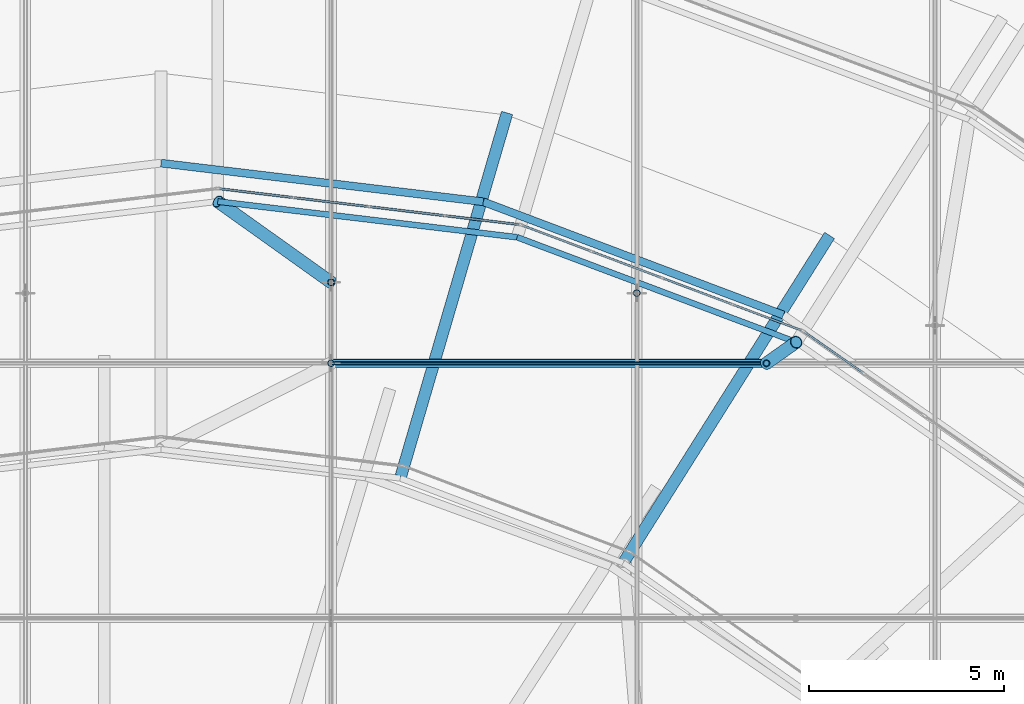
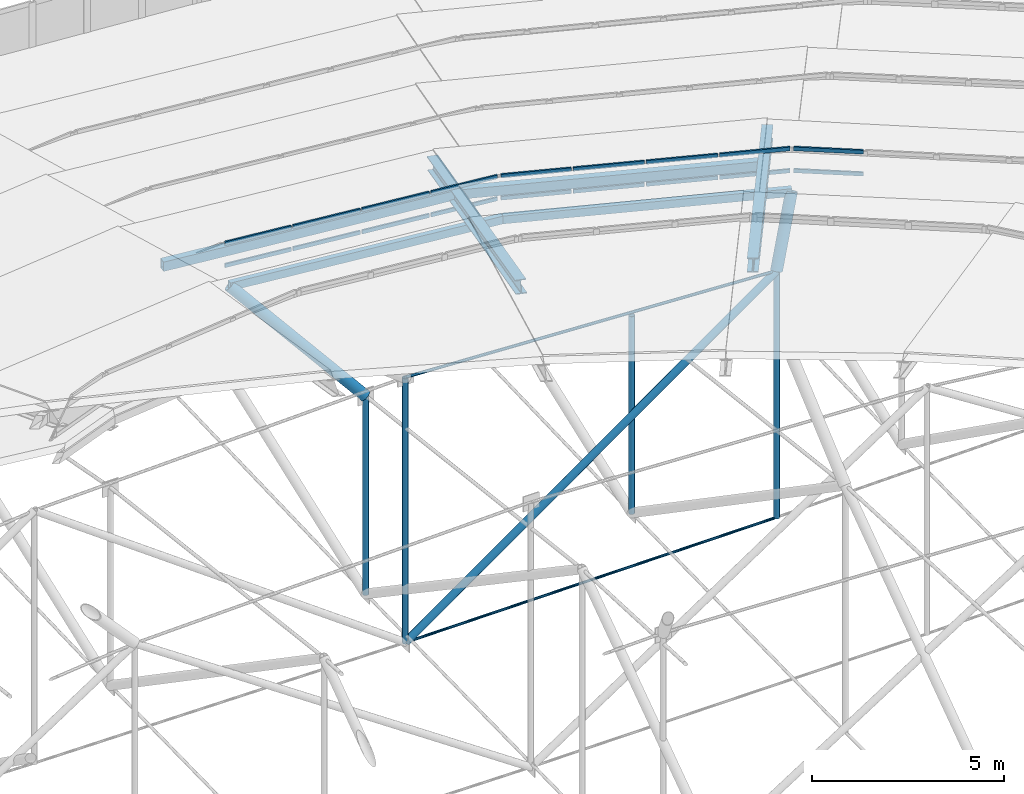
# One storey, part 111 of 173: 33 members, 3 elements without a shape of their own.
"""IFC4 building model written with IfcOpenShell, lengths in metres."""

from ifc_helpers import new_model, si_unit, direction, frame, origin, origin_2d, place, context, subcontext, project, spatial, rectangle, hollow_rectangle, circle, hollow_circle, i_section, extrude, material, material_profile, profile_set, type_object, element, aggregate, save


model = new_model("IFC4")

# Units and contexts
model_context = context("Model", 3, precision=1e-05, world=origin(), true_north=direction((0.0, 1.0)))
body_context = subcontext(model_context, "Body", "Model", "MODEL_VIEW")
ifc_project = project(units=[si_unit("LENGTHUNIT", "METRE"), si_unit("AREAUNIT", "SQUARE_METRE"), si_unit("VOLUMEUNIT", "CUBIC_METRE"), si_unit("PLANEANGLEUNIT", "RADIAN"), si_unit("MASSUNIT", "GRAM", prefix="KILO")], contexts=[model_context])

# Site, building, storey
site_placement = place(None, origin())
site = spatial("IfcSite", under=ifc_project, at=site_placement, CompositionType="ELEMENT")
building_placement = place(site_placement, origin())
building = spatial("IfcBuilding", under=site, at=building_placement, Name="Glasvene Arena", CompositionType="ELEMENT")
storey_placement = place(building_placement, frame((0.0, 0.0, 28.800048828125)))
storey = spatial("IfcBuildingStorey", under=building, at=storey_placement, Name="RF", CompositionType="ELEMENT", Elevation=28.800048828125)

# Curtain wall, members
ifc_material_1 = material(Name="Low-emissivity laminated double glazing", Category="glass")
curtain_wall_type_1 = type_object("IfcCurtainWallType", Name="CW-PET3-756x75", PredefinedType="USERDEFINED", material=ifc_material_1)
curtain_wall_1_placement = place(storey_placement, frame((110.27783203125, 89.933349609375, 0.0)))
curtain_wall_1 = element("IfcCurtainWall", 1, at=curtain_wall_1_placement, inside=storey, type_object=curtain_wall_type_1, Name="Petal ring 3-4 clerestory curtain wall 04", ObjectType="CURTAIN WALL", PredefinedType="USERDEFINED")
ifc_material_2 = material(Name="Anodised architectural aluminium", Category="aluminium")
ifc_material_profile_1 = material_profile(ifc_material_2, rectangle(XDim=0.050048828125, YDim=0.1201171875, at=origin_2d()), Name="ALU TRANSOM 50x120")
ifc_profile_set_1 = profile_set([ifc_material_profile_1], Name="Anodised architectural aluminium")
member_type_1 = type_object("IfcMemberType", Name="CW-TRN-120", PredefinedType="USERDEFINED", material=ifc_profile_set_1)
member_1_placement = place(storey_placement, frame((105.605224609375, 93.189453125, 7.85498046875), z_axis=(-0.82043066746, 0.571746027438, 0.0), x_axis=(-0.571746027438, -0.82043066746, 0.0)))
member_1 = element("IfcMember", 2, at=member_1_placement, type_object=member_type_1, Name="CW-096 transom 4.1", ObjectType="TRANSOM", PredefinedType="USERDEFINED", context=body_context, shape_type="SweptSolid", body=[
    extrude(rectangle(XDim=0.050048828125, YDim=0.1201171875, at=origin_2d()), origin(), (0.0, 0.0, 1.0), 1.815185546875),
])
member_2_placement = place(storey_placement, frame((105.605224609375, 93.189453125, 8.554931640625), z_axis=(-0.82043066746, 0.571746027438, 0.0), x_axis=(-0.571746027438, -0.82043066746, 0.0)))
member_2 = element("IfcMember", 3, at=member_2_placement, type_object=member_type_1, Name="CW-096 transom 4.2", ObjectType="TRANSOM", PredefinedType="USERDEFINED", context=body_context, shape_type="SweptSolid", body=[
    extrude(rectangle(XDim=0.050048828125, YDim=0.1201171875, at=origin_2d()), origin(), (0.0, 0.0, 1.0), 1.815185546875),
])
aggregate(curtain_wall_1, [member_1, member_2])

curtain_wall_type_2 = type_object("IfcCurtainWallType", Name="CW-PET3-772x75", PredefinedType="USERDEFINED", material=ifc_material_1)
curtain_wall_2_placement = place(storey_placement, frame((104.074951171875, 94.255859375, 0.0)))
curtain_wall_2 = element("IfcCurtainWall", 4, at=curtain_wall_2_placement, inside=storey, type_object=curtain_wall_type_2, Name="Petal ring 3-4 clerestory curtain wall 05", ObjectType="CURTAIN WALL", PredefinedType="USERDEFINED")
member_3_placement = place(storey_placement, frame((104.0283203125, 94.2734375, 7.85498046875), z_axis=(-0.935949946837, 0.3521330672, 0.0), x_axis=(-0.3521330672, -0.935949946837, 0.0)))
member_3 = element("IfcMember", 5, at=member_3_placement, type_object=member_type_1, Name="CW-097 transom 1.1", ObjectType="TRANSOM", PredefinedType="USERDEFINED", context=body_context, shape_type="SweptSolid", body=[
    extrude(rectangle(XDim=0.050048828125, YDim=0.1201171875, at=origin_2d()), origin(), (0.0, 0.0, 1.0), 1.854736328125),
])
member_4_placement = place(storey_placement, frame((104.0283203125, 94.2734375, 8.554931640625), z_axis=(-0.935949946837, 0.3521330672, 0.0), x_axis=(-0.3521330672, -0.935949946837, 0.0)))
member_4 = element("IfcMember", 6, at=member_4_placement, type_object=member_type_1, Name="CW-097 transom 1.2", ObjectType="TRANSOM", PredefinedType="USERDEFINED", context=body_context, shape_type="SweptSolid", body=[
    extrude(rectangle(XDim=0.050048828125, YDim=0.1201171875, at=origin_2d()), origin(), (0.0, 0.0, 1.0), 1.854736328125),
])
member_5_placement = place(storey_placement, frame((102.245849609375, 94.944091796875, 7.85498046875), z_axis=(-0.935981707796, 0.352048636798, 0.0), x_axis=(-0.352048636798, -0.935981707796, 0.0)))
member_5 = element("IfcMember", 7, at=member_5_placement, type_object=member_type_1, Name="CW-097 transom 2.1", ObjectType="TRANSOM", PredefinedType="USERDEFINED", context=body_context, shape_type="SweptSolid", body=[
    extrude(rectangle(XDim=0.050048828125, YDim=0.1201171875, at=origin_2d()), origin(), (0.0, 0.0, 1.0), 1.87939453125),
])
member_6_placement = place(storey_placement, frame((102.245849609375, 94.944091796875, 8.554931640625), z_axis=(-0.935981707796, 0.352048636798, 0.0), x_axis=(-0.352048636798, -0.935981707796, 0.0)))
member_6 = element("IfcMember", 8, at=member_6_placement, type_object=member_type_1, Name="CW-097 transom 2.2", ObjectType="TRANSOM", PredefinedType="USERDEFINED", context=body_context, shape_type="SweptSolid", body=[
    extrude(rectangle(XDim=0.050048828125, YDim=0.1201171875, at=origin_2d()), origin(), (0.0, 0.0, 1.0), 1.87939453125),
])
member_7_placement = place(storey_placement, frame((100.43994140625, 95.623291015625, 7.85498046875), z_axis=(-0.935938896958, 0.35216243576, 0.0), x_axis=(-0.35216243576, -0.935938896958, 0.0)))
member_7 = element("IfcMember", 9, at=member_7_placement, type_object=member_type_1, Name="CW-097 transom 3.1", ObjectType="TRANSOM", PredefinedType="USERDEFINED", context=body_context, shape_type="SweptSolid", body=[
    extrude(rectangle(XDim=0.050048828125, YDim=0.1201171875, at=origin_2d()), origin(), (0.0, 0.0, 1.0), 1.87939453125),
])
member_8_placement = place(storey_placement, frame((100.43994140625, 95.623291015625, 8.554931640625), z_axis=(-0.935938896958, 0.35216243576, 0.0), x_axis=(-0.35216243576, -0.935938896958, 0.0)))
member_8 = element("IfcMember", 10, at=member_8_placement, type_object=member_type_1, Name="CW-097 transom 3.2", ObjectType="TRANSOM", PredefinedType="USERDEFINED", context=body_context, shape_type="SweptSolid", body=[
    extrude(rectangle(XDim=0.050048828125, YDim=0.1201171875, at=origin_2d()), origin(), (0.0, 0.0, 1.0), 1.87939453125),
])
member_9_placement = place(storey_placement, frame((98.634033203125, 96.302734375, 7.85498046875), z_axis=(-0.935977011072, 0.352061123591, 0.0), x_axis=(-0.352061123591, -0.935977011072, 0.0)))
member_9 = element("IfcMember", 11, at=member_9_placement, type_object=member_type_1, Name="CW-097 transom 4.1", ObjectType="TRANSOM", PredefinedType="USERDEFINED", context=body_context, shape_type="SweptSolid", body=[
    extrude(rectangle(XDim=0.050048828125, YDim=0.1201171875, at=origin_2d()), origin(), (0.0, 0.0, 1.0), 1.854248046875),
])
member_10_placement = place(storey_placement, frame((98.634033203125, 96.302734375, 8.554931640625), z_axis=(-0.935977011072, 0.352061123591, 0.0), x_axis=(-0.352061123591, -0.935977011072, 0.0)))
member_10 = element("IfcMember", 12, at=member_10_placement, type_object=member_type_1, Name="CW-097 transom 4.2", ObjectType="TRANSOM", PredefinedType="USERDEFINED", context=body_context, shape_type="SweptSolid", body=[
    extrude(rectangle(XDim=0.050048828125, YDim=0.1201171875, at=origin_2d()), origin(), (0.0, 0.0, 1.0), 1.854248046875),
])
aggregate(curtain_wall_2, [member_3, member_4, member_5, member_6, member_7, member_8, member_9, member_10])

curtain_wall_type_3 = type_object("IfcCurtainWallType", Name="CW-PET3-781x75", PredefinedType="USERDEFINED", material=ifc_material_1)
curtain_wall_3_placement = place(storey_placement, frame((96.8515625, 96.97314453125, 0.0)))
curtain_wall_3 = element("IfcCurtainWall", 13, at=curtain_wall_3_placement, inside=storey, type_object=curtain_wall_type_3, Name="Petal ring 3-4 clerestory curtain wall 06", ObjectType="CURTAIN WALL", PredefinedType="USERDEFINED")
member_11_placement = place(storey_placement, frame((96.802001953125, 96.979248046875, 7.85498046875), z_axis=(-0.992937647421, 0.118637381691, 0.0), x_axis=(-0.118637381691, -0.992937647421, 0.0)))
member_11 = element("IfcMember", 14, at=member_11_placement, type_object=member_type_1, Name="CW-098 transom 1.1", ObjectType="TRANSOM", PredefinedType="USERDEFINED", context=body_context, shape_type="SweptSolid", body=[
    extrude(rectangle(XDim=0.050048828125, YDim=0.1201171875, at=origin_2d()), origin(), (0.0, 0.0, 1.0), 1.876708984375),
])
member_12_placement = place(storey_placement, frame((96.802001953125, 96.979248046875, 8.554931640625), z_axis=(-0.992937647421, 0.118637381691, 0.0), x_axis=(-0.118637381691, -0.992937647421, 0.0)))
member_12 = element("IfcMember", 15, at=member_12_placement, type_object=member_type_1, Name="CW-098 transom 1.2", ObjectType="TRANSOM", PredefinedType="USERDEFINED", context=body_context, shape_type="SweptSolid", body=[
    extrude(rectangle(XDim=0.050048828125, YDim=0.1201171875, at=origin_2d()), origin(), (0.0, 0.0, 1.0), 1.876708984375),
])
member_13_placement = place(storey_placement, frame((94.888916015625, 97.207763671875, 7.85498046875), z_axis=(-0.992923539181, 0.118755401311, 0.0), x_axis=(-0.118755401311, -0.992923539181, 0.0)))
member_13 = element("IfcMember", 16, at=member_13_placement, type_object=member_type_1, Name="CW-098 transom 2.1", ObjectType="TRANSOM", PredefinedType="USERDEFINED", context=body_context, shape_type="SweptSolid", body=[
    extrude(rectangle(XDim=0.050048828125, YDim=0.1201171875, at=origin_2d()), origin(), (0.0, 0.0, 1.0), 1.901611328125),
])
member_14_placement = place(storey_placement, frame((94.888916015625, 97.207763671875, 8.554931640625), z_axis=(-0.992923539181, 0.118755401311, 0.0), x_axis=(-0.118755401311, -0.992923539181, 0.0)))
member_14 = element("IfcMember", 17, at=member_14_placement, type_object=member_type_1, Name="CW-098 transom 2.2", ObjectType="TRANSOM", PredefinedType="USERDEFINED", context=body_context, shape_type="SweptSolid", body=[
    extrude(rectangle(XDim=0.050048828125, YDim=0.1201171875, at=origin_2d()), origin(), (0.0, 0.0, 1.0), 1.901611328125),
])
member_15_placement = place(storey_placement, frame((92.950927734375, 97.439453125, 7.85498046875), z_axis=(-0.992923539181, 0.118755401311, 0.0), x_axis=(-0.118755401311, -0.992923539181, 0.0)))
member_15 = element("IfcMember", 18, at=member_15_placement, type_object=member_type_1, Name="CW-098 transom 3.1", ObjectType="TRANSOM", PredefinedType="USERDEFINED", context=body_context, shape_type="SweptSolid", body=[
    extrude(rectangle(XDim=0.050048828125, YDim=0.1201171875, at=origin_2d()), origin(), (0.0, 0.0, 1.0), 1.901611328125),
])
member_16_placement = place(storey_placement, frame((92.950927734375, 97.439453125, 8.554931640625), z_axis=(-0.992923539181, 0.118755401311, 0.0), x_axis=(-0.118755401311, -0.992923539181, 0.0)))
member_16 = element("IfcMember", 19, at=member_16_placement, type_object=member_type_1, Name="CW-098 transom 3.2", ObjectType="TRANSOM", PredefinedType="USERDEFINED", context=body_context, shape_type="SweptSolid", body=[
    extrude(rectangle(XDim=0.050048828125, YDim=0.1201171875, at=origin_2d()), origin(), (0.0, 0.0, 1.0), 1.901611328125),
])
member_17_placement = place(storey_placement, frame((91.01318359375, 97.67138671875, 7.85498046875), z_axis=(-0.992937647421, 0.118637381691, 0.0), x_axis=(-0.118637381691, -0.992937647421, 0.0)))
member_17 = element("IfcMember", 20, at=member_17_placement, type_object=member_type_1, Name="CW-098 transom 4.1", ObjectType="TRANSOM", PredefinedType="USERDEFINED", context=body_context, shape_type="SweptSolid", body=[
    extrude(rectangle(XDim=0.050048828125, YDim=0.1201171875, at=origin_2d()), origin(), (0.0, 0.0, 1.0), 1.876708984375),
])
member_18_placement = place(storey_placement, frame((91.01318359375, 97.67138671875, 8.554931640625), z_axis=(-0.992937647421, 0.118637381691, 0.0), x_axis=(-0.118637381691, -0.992937647421, 0.0)))
member_18 = element("IfcMember", 21, at=member_18_placement, type_object=member_type_1, Name="CW-098 transom 4.2", ObjectType="TRANSOM", PredefinedType="USERDEFINED", context=body_context, shape_type="SweptSolid", body=[
    extrude(rectangle(XDim=0.050048828125, YDim=0.1201171875, at=origin_2d()), origin(), (0.0, 0.0, 1.0), 1.876708984375),
])
aggregate(curtain_wall_3, [member_11, member_12, member_13, member_14, member_15, member_16, member_17, member_18])

# Members
ifc_material_3 = material(Name="High-strength steel spiral strand S460", Category="steel")
ifc_material_profile_2 = material_profile(ifc_material_3, circle(Radius=0.03759765625, at=origin_2d()), Name="LCSS D75")
ifc_profile_set_2 = profile_set([ifc_material_profile_2], Name="High-strength steel spiral strand S460")
member_type_2 = type_object("IfcMemberType", Name="MB-CABLE-75", PredefinedType="USERDEFINED", material=ifc_profile_set_2)
member_19_placement = place(storey_placement, frame((92.0, 93.4296875, -2.400146484375), z_axis=(0.99997909309, 0.0, 0.006466326884), x_axis=(0.0, 1.0, 0.0)))
element("IfcMember", 22, at=member_19_placement, inside=storey, type_object=member_type_2, Name="Lower stabilization roof cable EW07-05", ObjectType="ROOF CABLE", PredefinedType="USERDEFINED", context=body_context, shape_type="SweptSolid", body=[
    extrude(circle(Radius=0.03759765625, at=origin_2d()), origin(), (0.0, 0.0, 1.0), 11.137939453125),
])
ifc_material_profile_3 = material_profile(ifc_material_3, circle(Radius=0.044921875, at=origin_2d()), Name="LCSS D90")
ifc_profile_set_3 = profile_set([ifc_material_profile_3], Name="High-strength steel spiral strand S460")
member_type_3 = type_object("IfcMemberType", Name="MB-CABLE-90", PredefinedType="USERDEFINED", material=ifc_profile_set_3)
member_20_placement = place(storey_placement, frame((92.0, 93.4296875, 6.02001953125), z_axis=(0.998908736057, 0.0, -0.046704785927), x_axis=(0.0, 1.0, 0.0)))
element("IfcMember", 23, at=member_20_placement, inside=storey, type_object=member_type_3, Name="Upper lens roof cable EW07-05", ObjectType="ROOF CABLE", PredefinedType="USERDEFINED", context=body_context, shape_type="SweptSolid", body=[
    extrude(circle(Radius=0.044921875, at=origin_2d()), origin(), (0.0, 0.0, 1.0), 11.14990234375),
])
ifc_material_4 = material(Name="Steel S355J2", Category="steel")
ifc_material_profile_4 = material_profile(ifc_material_4, i_section(OverallWidth=0.300048828125, OverallDepth=0.39990234375, WebThickness=0.013427734375, FlangeThickness=0.02392578125, FilletRadius=0.027099609375, at=origin_2d()), Name="HEB 400")
ifc_profile_set_4 = profile_set([ifc_material_profile_4], Name="Steel S355J2")
member_type_4 = type_object("IfcMemberType", Name="MB-CHORD-HEB400", PredefinedType="CHORD", material=ifc_profile_set_4)
member_21_placement = place(storey_placement, frame((104.72509765625, 96.656494140625, 7.39990234375), z_axis=(-0.514693165227, -0.81706103894, 0.259811863306), x_axis=(0.846117339199, -0.532996668194, 0.0)))
element("IfcMember", 24, at=member_21_placement, inside=storey, type_object=member_type_4, Name="Petal ring 4 radial rib 05", PredefinedType="CHORD", context=body_context, shape_type="SweptSolid", body=[
    extrude(i_section(OverallWidth=0.300048828125, OverallDepth=0.39990234375, WebThickness=0.013427734375, FlangeThickness=0.02392578125, FilletRadius=0.027099609375, at=origin_2d()), origin(), (0.0, 0.0, 1.0), 10.2001953125),
])
member_22_placement = place(storey_placement, frame((96.48876953125, 99.783447265625, 7.39990234375), z_axis=(-0.270671530682, -0.925783195356, 0.263936351559), x_axis=(0.959818255811, -0.280622372257, 0.0)))
element("IfcMember", 25, at=member_22_placement, inside=storey, type_object=member_type_4, Name="Petal ring 4 radial rib 06", PredefinedType="CHORD", context=body_context, shape_type="SweptSolid", body=[
    extrude(i_section(OverallWidth=0.300048828125, OverallDepth=0.39990234375, WebThickness=0.013427734375, FlangeThickness=0.02392578125, FilletRadius=0.027099609375, at=origin_2d()), origin(), (0.0, 0.0, 1.0), 10.040771484375),
])
ifc_material_profile_5 = material_profile(ifc_material_4, hollow_circle(Radius=0.161865234375, WallThickness=0.01611328125, at=origin_2d()), Name="CHS 323.9x16.0")
ifc_profile_set_5 = profile_set([ifc_material_profile_5], Name="Steel S355J2")
member_type_5 = type_object("IfcMemberType", Name="MB-POST-CHS324", PredefinedType="BRACE", material=ifc_profile_set_5)
member_23_placement = place(storey_placement, frame((103.1376953125, 93.4296875, 5.499267578125), z_axis=(0.355117692367, 0.251266810519, 0.900420132216), x_axis=(-0.577596486973, 0.816322422965, 0.0)))
element("IfcMember", 26, at=member_23_placement, inside=storey, type_object=member_type_5, Name="Petal ring 3 ridge support post 05", PredefinedType="BRACE", context=body_context, shape_type="SweptSolid", body=[
    extrude(hollow_circle(Radius=0.161865234375, WallThickness=0.01611328125, at=origin_2d()), origin(), (0.0, 0.0, 1.0), 2.146240234375),
])
member_24_placement = place(storey_placement, frame((92.0, 95.5, 4.1669921875), z_axis=(-0.600134251624, 0.428147638345, 0.675668912861), x_axis=(-0.58077131457, -0.814066754126, 0.0)))
element("IfcMember", 27, at=member_24_placement, inside=storey, type_object=member_type_5, Name="Petal ring 3 ridge support post 07", PredefinedType="BRACE", context=body_context, shape_type="SweptSolid", body=[
    extrude(hollow_circle(Radius=0.161865234375, WallThickness=0.01611328125, at=origin_2d()), origin(), (0.0, 0.0, 1.0), 4.83203125),
])
ifc_material_profile_6 = material_profile(ifc_material_4, hollow_rectangle(XDim=0.14990234375, YDim=0.25, WallThickness=0.010009765625, at=origin_2d()), Name="RHS 250x150x10.0")
ifc_profile_set_6 = profile_set([ifc_material_profile_6], Name="Steel S355J2")
member_type_6 = type_object("IfcMemberType", Name="MB-PURLIN-RHS250", PredefinedType="PURLIN", material=ifc_profile_set_6)
member_25_placement = place(storey_placement, frame((103.89990234375, 93.968994140625, 7.431884765625), z_axis=(-0.936017035624, 0.3519546974, 0.0), x_axis=(-0.3519546974, -0.936017035624, 0.0)))
element("IfcMember", 28, at=member_25_placement, inside=storey, type_object=member_type_6, Name="Petal ring 3 ridge purlin 05", PredefinedType="PURLIN", context=body_context, shape_type="SweptSolid", body=[
    extrude(hollow_rectangle(XDim=0.14990234375, YDim=0.25, WallThickness=0.010009765625, at=origin_2d()), origin(), (0.0, 0.0, 1.0), 7.626953125),
])
member_26_placement = place(storey_placement, frame((96.760986328125, 96.6533203125, 7.431884765625), z_axis=(-0.992934667205, 0.118662321999, 0.0), x_axis=(-0.118662321999, -0.992934667205, 0.0)))
element("IfcMember", 29, at=member_26_placement, inside=storey, type_object=member_type_6, Name="Petal ring 3 ridge purlin 06", PredefinedType="PURLIN", context=body_context, shape_type="SweptSolid", body=[
    extrude(hollow_rectangle(XDim=0.14990234375, YDim=0.25, WallThickness=0.010009765625, at=origin_2d()), origin(), (0.0, 0.0, 1.0), 7.71533203125),
])
ifc_material_profile_7 = material_profile(ifc_material_4, hollow_rectangle(XDim=0.199951171875, YDim=0.300048828125, WallThickness=0.012451171875, at=origin_2d()), Name="RHS 300x200x12.5")
ifc_profile_set_7 = profile_set([ifc_material_profile_7], Name="Steel S355J2")
member_type_7 = type_object("IfcMemberType", Name="MB-PURLIN-RHS300", PredefinedType="PURLIN", material=ifc_profile_set_7)
member_27_placement = place(storey_placement, frame((103.574951171875, 94.664794921875, 8.00048828125), z_axis=(-0.93567250019, 0.352869625199, 0.0), x_axis=(-0.352869625199, -0.93567250019, 0.0)))
element("IfcMember", 30, at=member_27_placement, inside=storey, type_object=member_type_7, Name="Petal ring 4 outer purlin 05", PredefinedType="PURLIN", context=body_context, shape_type="SweptSolid", body=[
    extrude(hollow_rectangle(XDim=0.199951171875, YDim=0.300048828125, WallThickness=0.012451171875, at=origin_2d()), origin(), (0.0, 0.0, 1.0), 8.209716796875),
])
member_28_placement = place(storey_placement, frame((95.893310546875, 97.561767578125, 8.00048828125), z_axis=(-0.992890051115, 0.119035063732, 0.0), x_axis=(-0.119035063732, -0.992890051115, 0.0)))
element("IfcMember", 31, at=member_28_placement, inside=storey, type_object=member_type_7, Name="Petal ring 4 outer purlin 06", PredefinedType="PURLIN", context=body_context, shape_type="SweptSolid", body=[
    extrude(hollow_rectangle(XDim=0.199951171875, YDim=0.300048828125, WallThickness=0.012451171875, at=origin_2d()), origin(), (0.0, 0.0, 1.0), 8.302490234375),
])
ifc_material_profile_8 = material_profile(ifc_material_4, hollow_circle(Radius=0.084228515625, WallThickness=0.008056640625, at=origin_2d()), Name="CHS 168.3x8.0")
ifc_profile_set_8 = profile_set([ifc_material_profile_8], Name="Steel S355J2")
member_type_8 = type_object("IfcMemberType", Name="MB-WEB-CHS168", PredefinedType="BRACE", material=ifc_profile_set_8)
for number, where, z_axis, x_axis, name in (
    (32, (99.82177734375, 95.222900390625, -2.112548828125), (0.0, 0.0, 1.0), (1.0, 0.0, 0.0), "Cable-truss vertical strut NS04-06"),
    (33, (92.0, 95.5, -2.112548828125), (0.0, 0.0, 1.0), (1.0, 0.0, 0.0), "Cable-truss vertical strut NS05-06"),
):
    element("IfcMember", number, at=place(storey_placement, frame(where, z_axis=z_axis, x_axis=x_axis)), inside=storey, type_object=member_type_8, Name=name, PredefinedType="BRACE", context=body_context, shape_type="SweptSolid", body=[
        extrude(hollow_circle(Radius=0.084228515625, WallThickness=0.008056640625, at=origin_2d()), origin(), (0.0, 0.0, 1.0), 6.279541015625),
    ])
member_29_placement = place(storey_placement, frame((92.0, 93.4296875, -2.400146484375), z_axis=(0.0, 0.0, 1.0), x_axis=(1.0, 0.0, 0.0)))
element("IfcMember", 34, at=member_29_placement, inside=storey, type_object=member_type_8, Name="Cable-truss vertical strut EW07-04", PredefinedType="BRACE", context=body_context, shape_type="SweptSolid", body=[
    extrude(hollow_circle(Radius=0.084228515625, WallThickness=0.008056640625, at=origin_2d()), origin(), (0.0, 0.0, 1.0), 8.420166015625),
])
member_30_placement = place(storey_placement, frame((103.1376953125, 93.4296875, -2.328125), z_axis=(0.0, 0.0, 1.0), x_axis=(1.0, 0.0, 0.0)))
element("IfcMember", 35, at=member_30_placement, inside=storey, type_object=member_type_8, Name="Cable-truss vertical strut EW07-05", PredefinedType="BRACE", context=body_context, shape_type="SweptSolid", body=[
    extrude(hollow_circle(Radius=0.084228515625, WallThickness=0.008056640625, at=origin_2d()), origin(), (0.0, 0.0, 1.0), 7.827392578125),
])
ifc_material_profile_9 = material_profile(ifc_material_4, hollow_circle(Radius=0.109619140625, WallThickness=0.010009765625, at=origin_2d()), Name="CHS 219.1x10.0")
ifc_profile_set_9 = profile_set([ifc_material_profile_9], Name="Steel S355J2")
member_type_9 = type_object("IfcMemberType", Name="MB-WEB-CHS219", PredefinedType="BRACE", material=ifc_profile_set_9)
member_31_placement = place(storey_placement, frame((92.0, 93.4296875, -2.400146484375), z_axis=(0.815671530747, 0.0, 0.578515301378), x_axis=(0.0, 1.0, 0.0)))
element("IfcMember", 36, at=member_31_placement, inside=storey, type_object=member_type_9, Name="Cable-truss diagonal web strut EW07-05", PredefinedType="BRACE", context=body_context, shape_type="SweptSolid", body=[
    extrude(hollow_circle(Radius=0.109619140625, WallThickness=0.010009765625, at=origin_2d()), origin(), (0.0, 0.0, 1.0), 13.654541015625),
])

save(model, "model.ifc")
